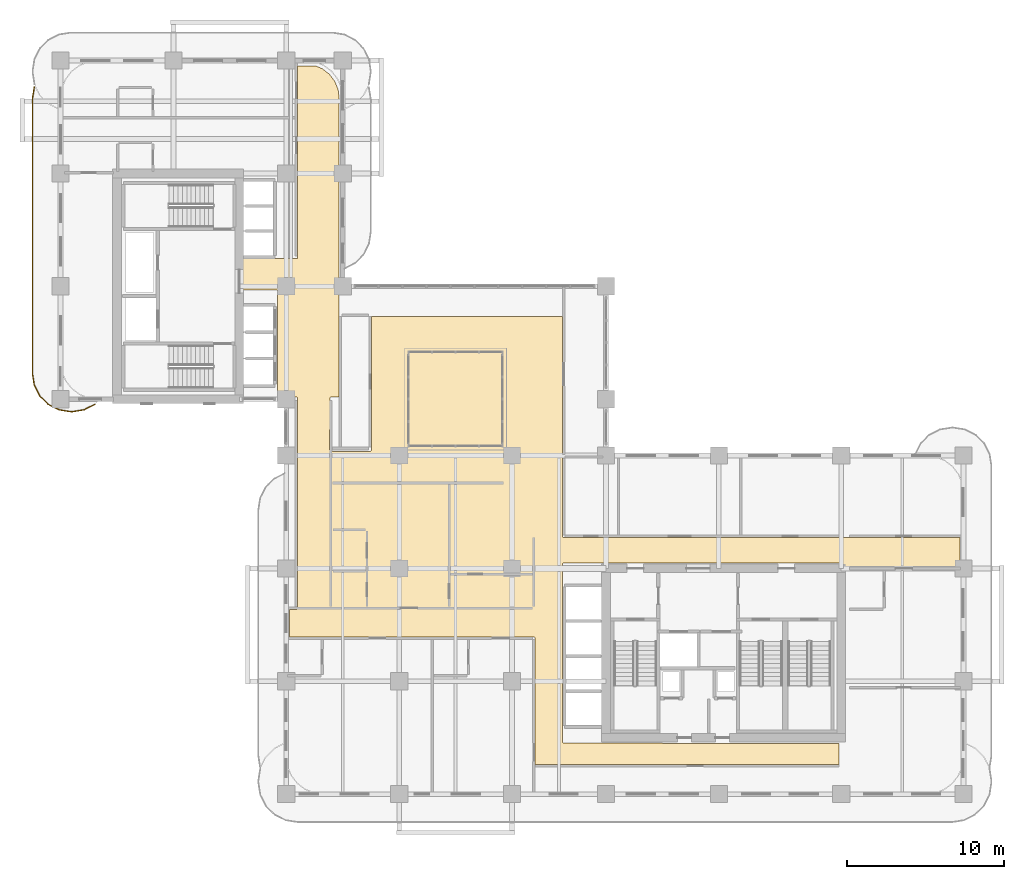
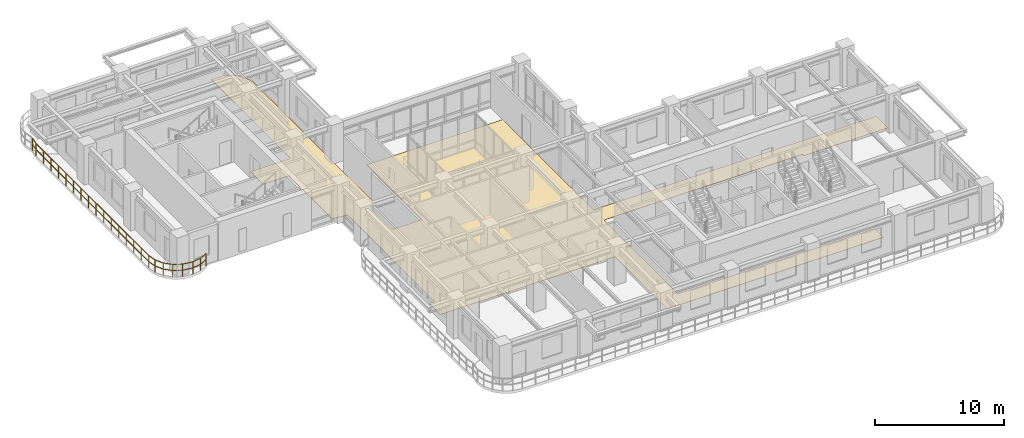
# One storey, part 21 of 22: 1 covering, 1 railing.
"""IFC4 building model written with IfcOpenShell, lengths in metres."""

from ifc_helpers import new_model, si_unit, derived_unit, direction, frame, origin, origin_2d, place, context, subcontext, project, spatial, polyline, rectangle, outline, extrude, material, layer, layer_set, type_object, element, save


model = new_model("IFC4")

# Units and contexts
model_context = context("Model", 3, precision=1e-05, world=origin(), true_north=direction((0.0, 1.0)))
body_context = subcontext(model_context, "Body", "Model", "MODEL_VIEW")
ifc_project = project(units=[si_unit("LENGTHUNIT", "METRE"), si_unit("AREAUNIT", "SQUARE_METRE"), si_unit("VOLUMEUNIT", "CUBIC_METRE"), si_unit("PLANEANGLEUNIT", "RADIAN"), si_unit("MASSUNIT", "GRAM", prefix="KILO"), si_unit("THERMODYNAMICTEMPERATUREUNIT", "KELVIN"), si_unit("POWERUNIT", "WATT"), derived_unit("THERMALTRANSMITTANCEUNIT", [(si_unit("POWERUNIT", "WATT"), 1), (si_unit("AREAUNIT", "SQUARE_METRE"), -1), (si_unit("THERMODYNAMICTEMPERATUREUNIT", "KELVIN"), -1)])], contexts=[model_context])

# Site, building, storey
site_placement = place(None, origin())
site = spatial("IfcSite", under=ifc_project, at=site_placement, CompositionType="ELEMENT")
building_placement = place(site_placement, origin())
building = spatial("IfcBuilding", under=site, at=building_placement, Name="Zahravan Archway Hotel and Residences", CompositionType="ELEMENT")
storey_placement = place(building_placement, frame((0.0, 0.0, 87.89990234375)))
storey = spatial("IfcBuildingStorey", under=building, at=storey_placement, Name="L21", CompositionType="ELEMENT", Elevation=87.89990234375)

# Covering
ifc_material_1 = material(Name="Engineered Walnut Parquet Flooring")
ifc_layer = layer(ifc_material_1, 0.02197265625, Name="Engineered Walnut Parquet Flooring")
ifc_layer_set = layer_set([ifc_layer], Name="Engineered Walnut Parquet Flooring")
covering_type = type_object("IfcCoveringType", Name="COV-FLR-TIMB", PredefinedType="FLOORING", material=ifc_layer_set)
covering_placement = place(storey_placement, origin())
element("IfcCovering", 1, at=covering_placement, inside=storey, type_object=covering_type, Name="L21 Circulation Floor Finish", PredefinedType="FLOORING", context=body_context, shape_type="SweptSolid", body=[
    extrude(outline(polyline([(32.021484375, 3.309326171875), (32.04345703125, 3.268310546875), (32.08447265625, 3.24658203125), (49.669921875, 3.2451171875), (49.669921875, 1.8798828125), (30.280029296875, 1.8798828125), (30.280029296875, 9.949951171875), (30.2666015625, 9.994384765625), (30.230712890625, 10.02392578125), (14.6201171875, 10.030029296875), (14.6201171875, 11.7900390625), (15.050048828125, 11.7900390625), (15.094482421875, 11.803466796875), (15.123779296875, 11.83935546875), (15.1298828125, 25.25), (15.116455078125, 25.29443359375), (15.08056640625, 25.323974609375), (14.5771484375, 25.330078125), (14.53955078125, 25.3701171875), (14.503662109375, 25.39404296875), (14.4638671875, 25.410400390625), (14.421630859375, 25.4189453125), (13.830078125, 25.419921875), (13.830078125, 32.10009765625), (13.81640625, 32.144287109375), (13.780517578125, 32.173828125), (11.530029296875, 32.179931640625), (11.530029296875, 34.169921875), (15.050048828125, 34.169921875), (15.094482421875, 34.18359375), (15.123779296875, 34.219482421875), (15.1298828125, 46.469970703125), (16.24560546875, 46.469970703125), (16.689208984375, 46.286376953125), (17.14013671875, 45.940185546875), (17.486328125, 45.489013671875), (17.703857421875, 44.9638671875), (17.77001953125, 44.46142578125), (17.77001953125, 25.330078125), (17.25, 25.330078125), (17.20556640625, 25.31640625), (17.176025390625, 25.280517578125), (17.169921875, 21.949951171875), (17.18359375, 21.905517578125), (17.219482421875, 21.876220703125), (19.75, 21.8701171875), (19.79443359375, 21.883544921875), (19.823974609375, 21.91943359375), (19.830078125, 30.469970703125), (32.02001953125, 30.469970703125), (32.02001953125, 16.449951171875), (32.033447265625, 16.405517578125), (32.0693359375, 16.376220703125), (57.3798828125, 16.3701171875), (57.3798828125, 14.530029296875), (49.830078125, 14.530029296875), (49.830078125, 14.675048828125), (49.81640625, 14.719482421875), (49.780517578125, 14.748779296875), (32.10009765625, 14.7548828125), (32.0556640625, 14.741455078125), (32.026123046875, 14.70556640625), (32.02001953125, 3.324951171875), (32.021484375, 3.309326171875)])), origin(), (0.0, 0.0, 1.0), 0.022216796875),
])

# Railing
ifc_material_2 = material(Name="Bronze & Laminated Glass Balustrade", Category="glass")
railing_type = type_object("IfcRailingType", Name="RL-BAL-1200", PredefinedType="BALUSTRADE", material=ifc_material_2)
railing_placement = place(storey_placement, frame((2.190185546875, 24.867919921875, 0.0)))
element("IfcRailing", 2, at=railing_placement, inside=storey, type_object=railing_type, Name="L21 Balustrade RL-SLB-BAL-L21-WB-1", PredefinedType="BALUSTRADE", context=body_context, shape_type="SweptSolid", body=[
    extrude(rectangle(XDim=0.048095703125, YDim=0.048095703125, at=origin_2d()), frame((0.0, 0.0, 1.17578125), z_axis=(-0.891090529897, -0.453825591531, 0.0), x_axis=(0.453825591531, -0.891090529897, 0.0)), (0.0, 0.0, 1.0), 0.7666015625),
    extrude(rectangle(XDim=0.048095703125, YDim=0.048095703125, at=origin_2d()), frame((0.0, 0.0, 0.60009765625), z_axis=(-0.891090529897, -0.453825591531, 0.0), x_axis=(0.453825591531, -0.891090529897, 0.0)), (0.0, 0.0, 1.0), 0.7666015625),
    extrude(rectangle(XDim=0.048095703125, YDim=0.048095703125, at=origin_2d()), frame((-0.68310546875, -0.347900390625, 1.17578125), z_axis=(-0.987646484274, -0.156698507018, 0.0), x_axis=(0.156698507018, -0.987646484274, 0.0)), (0.0, 0.0, 1.0), 0.7666015625),
    extrude(rectangle(XDim=0.048095703125, YDim=0.048095703125, at=origin_2d()), frame((-0.68310546875, -0.347900390625, 0.60009765625), z_axis=(-0.987646484274, -0.156698507018, 0.0), x_axis=(0.156698507018, -0.987646484274, 0.0)), (0.0, 0.0, 1.0), 0.7666015625),
    extrude(rectangle(XDim=0.048095703125, YDim=0.048095703125, at=origin_2d()), frame((-1.440185546875, -0.468017578125, 1.17578125), z_axis=(-1.0, 0.0, 0.0), x_axis=(0.0, -1.0, 0.0)), (0.0, 0.0, 1.0), 0.10009765625),
    extrude(rectangle(XDim=0.048095703125, YDim=0.048095703125, at=origin_2d()), frame((-1.440185546875, -0.468017578125, 0.60009765625), z_axis=(-1.0, 0.0, 0.0), x_axis=(0.0, -1.0, 0.0)), (0.0, 0.0, 1.0), 0.10009765625),
    extrude(rectangle(XDim=0.048095703125, YDim=0.048095703125, at=origin_2d()), frame((-1.540283203125, -0.468017578125, 1.17578125), z_axis=(-0.987646484274, 0.156698507018, 0.0), x_axis=(-0.156698507018, -0.987646484274, 0.0)), (0.0, 0.0, 1.0), 0.7666015625),
    extrude(rectangle(XDim=0.048095703125, YDim=0.048095703125, at=origin_2d()), frame((-1.540283203125, -0.468017578125, 0.60009765625), z_axis=(-0.987646484274, 0.156698507018, 0.0), x_axis=(-0.156698507018, -0.987646484274, 0.0)), (0.0, 0.0, 1.0), 0.7666015625),
    extrude(rectangle(XDim=0.048095703125, YDim=0.048095703125, at=origin_2d()), frame((-2.29736328125, -0.347900390625, 1.17578125), z_axis=(-0.891024909783, 0.453954414172, 0.0), x_axis=(-0.453954414172, -0.891024909783, 0.0)), (0.0, 0.0, 1.0), 0.766357421875),
    extrude(rectangle(XDim=0.048095703125, YDim=0.048095703125, at=origin_2d()), frame((-2.29736328125, -0.347900390625, 0.60009765625), z_axis=(-0.891024909783, 0.453954414172, 0.0), x_axis=(-0.453954414172, -0.891024909783, 0.0)), (0.0, 0.0, 1.0), 0.766357421875),
    extrude(rectangle(XDim=0.048095703125, YDim=0.048095703125, at=origin_2d()), frame((-2.980224609375, 0.0, 1.17578125), z_axis=(-0.707106781187, 0.707106781187, 0.0), x_axis=(-0.707106781187, -0.707106781187, 0.0)), (0.0, 0.0, 1.0), 0.7666015625),
    extrude(rectangle(XDim=0.048095703125, YDim=0.048095703125, at=origin_2d()), frame((-2.980224609375, 0.0, 0.60009765625), z_axis=(-0.707106781187, 0.707106781187, 0.0), x_axis=(-0.707106781187, -0.707106781187, 0.0)), (0.0, 0.0, 1.0), 0.7666015625),
    extrude(rectangle(XDim=0.048095703125, YDim=0.048095703125, at=origin_2d()), frame((-3.522216796875, 0.5419921875, 1.17578125), z_axis=(-0.454078418624, 0.890961721815, 0.0), x_axis=(-0.890961721815, -0.454078418624, 0.0)), (0.0, 0.0, 1.0), 0.7666015625),
    extrude(rectangle(XDim=0.048095703125, YDim=0.048095703125, at=origin_2d()), frame((-3.522216796875, 0.5419921875, 0.60009765625), z_axis=(-0.454078418624, 0.890961721815, 0.0), x_axis=(-0.890961721815, -0.454078418624, 0.0)), (0.0, 0.0, 1.0), 0.7666015625),
    extrude(rectangle(XDim=0.048095703125, YDim=0.048095703125, at=origin_2d()), frame((-3.870361328125, 1.22509765625, 1.17578125), z_axis=(-0.156387811283, 0.987695728695, 0.0), x_axis=(-0.987695728695, -0.156387811283, 0.0)), (0.0, 0.0, 1.0), 0.7666015625),
    extrude(rectangle(XDim=0.048095703125, YDim=0.048095703125, at=origin_2d()), frame((-3.870361328125, 1.22509765625, 0.60009765625), z_axis=(-0.156387811283, 0.987695728695, 0.0), x_axis=(-0.987695728695, -0.156387811283, 0.0)), (0.0, 0.0, 1.0), 0.7666015625),
    extrude(rectangle(XDim=0.048095703125, YDim=0.048095703125, at=origin_2d()), frame((-3.990234375, 1.982177734375, 1.17578125), z_axis=(0.0, 1.0, 0.0), x_axis=(-1.0, 0.0, 0.0)), (0.0, 0.0, 1.0), 17.5),
    extrude(rectangle(XDim=0.048095703125, YDim=0.048095703125, at=origin_2d()), frame((-3.990234375, 1.982177734375, 0.60009765625), z_axis=(0.0, 1.0, 0.0), x_axis=(-1.0, 0.0, 0.0)), (0.0, 0.0, 1.0), 17.5),
    extrude(rectangle(XDim=0.048095703125, YDim=0.048095703125, at=origin_2d()), frame((-3.990234375, 19.482177734375, 1.17578125), z_axis=(0.156387811283, 0.987695728695, 0.0), x_axis=(-0.987695728695, 0.156387811283, 0.0)), (0.0, 0.0, 1.0), 0.7666015625),
    extrude(rectangle(XDim=0.048095703125, YDim=0.048095703125, at=origin_2d()), frame((-3.990234375, 19.482177734375, 0.60009765625), z_axis=(0.156387811283, 0.987695728695, 0.0), x_axis=(-0.987695728695, 0.156387811283, 0.0)), (0.0, 0.0, 1.0), 0.7666015625),
    extrude(rectangle(XDim=0.0419921875, YDim=0.0419921875, at=origin_2d()), origin(), (0.0, 0.0, 1.0), 1.15185546875),
    extrude(rectangle(XDim=0.0419921875, YDim=0.0419921875, at=origin_2d()), frame((-0.68310546875, -0.347900390625, 0.0)), (0.0, 0.0, 1.0), 1.15185546875),
    extrude(rectangle(XDim=0.0419921875, YDim=0.0419921875, at=origin_2d()), frame((-1.440185546875, -0.468017578125, 0.0)), (0.0, 0.0, 1.0), 1.15185546875),
    extrude(rectangle(XDim=0.0419921875, YDim=0.0419921875, at=origin_2d()), frame((-2.29736328125, -0.347900390625, 0.0)), (0.0, 0.0, 1.0), 1.15185546875),
    extrude(rectangle(XDim=0.0419921875, YDim=0.0419921875, at=origin_2d()), frame((-2.980224609375, 0.0, 0.0)), (0.0, 0.0, 1.0), 1.15185546875),
    extrude(rectangle(XDim=0.0419921875, YDim=0.0419921875, at=origin_2d()), frame((-3.522216796875, 0.5419921875, 0.0)), (0.0, 0.0, 1.0), 1.15185546875),
    extrude(rectangle(XDim=0.0419921875, YDim=0.0419921875, at=origin_2d()), frame((-3.870361328125, 1.22509765625, 0.0)), (0.0, 0.0, 1.0), 1.15185546875),
    extrude(rectangle(XDim=0.0419921875, YDim=0.0419921875, at=origin_2d()), frame((-3.990234375, 1.982177734375, 0.0)), (0.0, 0.0, 1.0), 1.15185546875),
    extrude(rectangle(XDim=0.0419921875, YDim=0.0419921875, at=origin_2d()), frame((-3.990234375, 3.14892578125, 0.0)), (0.0, 0.0, 1.0), 1.15185546875),
    extrude(rectangle(XDim=0.0419921875, YDim=0.0419921875, at=origin_2d()), frame((-3.990234375, 4.3154296875, 0.0)), (0.0, 0.0, 1.0), 1.15185546875),
    extrude(rectangle(XDim=0.0419921875, YDim=0.0419921875, at=origin_2d()), frame((-3.990234375, 5.482177734375, 0.0)), (0.0, 0.0, 1.0), 1.15185546875),
    extrude(rectangle(XDim=0.0419921875, YDim=0.0419921875, at=origin_2d()), frame((-3.990234375, 6.64892578125, 0.0)), (0.0, 0.0, 1.0), 1.15185546875),
    extrude(rectangle(XDim=0.0419921875, YDim=0.0419921875, at=origin_2d()), frame((-3.990234375, 7.8154296875, 0.0)), (0.0, 0.0, 1.0), 1.15185546875),
    extrude(rectangle(XDim=0.0419921875, YDim=0.0419921875, at=origin_2d()), frame((-3.990234375, 8.982177734375, 0.0)), (0.0, 0.0, 1.0), 1.15185546875),
    extrude(rectangle(XDim=0.0419921875, YDim=0.0419921875, at=origin_2d()), frame((-3.990234375, 10.14892578125, 0.0)), (0.0, 0.0, 1.0), 1.15185546875),
    extrude(rectangle(XDim=0.0419921875, YDim=0.0419921875, at=origin_2d()), frame((-3.990234375, 11.3154296875, 0.0)), (0.0, 0.0, 1.0), 1.15185546875),
    extrude(rectangle(XDim=0.0419921875, YDim=0.0419921875, at=origin_2d()), frame((-3.990234375, 12.482177734375, 0.0)), (0.0, 0.0, 1.0), 1.15185546875),
    extrude(rectangle(XDim=0.0419921875, YDim=0.0419921875, at=origin_2d()), frame((-3.990234375, 13.64892578125, 0.0)), (0.0, 0.0, 1.0), 1.15185546875),
    extrude(rectangle(XDim=0.0419921875, YDim=0.0419921875, at=origin_2d()), frame((-3.990234375, 14.8154296875, 0.0)), (0.0, 0.0, 1.0), 1.15185546875),
    extrude(rectangle(XDim=0.0419921875, YDim=0.0419921875, at=origin_2d()), frame((-3.990234375, 15.982177734375, 0.0)), (0.0, 0.0, 1.0), 1.15185546875),
    extrude(rectangle(XDim=0.0419921875, YDim=0.0419921875, at=origin_2d()), frame((-3.990234375, 17.14892578125, 0.0)), (0.0, 0.0, 1.0), 1.15185546875),
    extrude(rectangle(XDim=0.0419921875, YDim=0.0419921875, at=origin_2d()), frame((-3.990234375, 18.3154296875, 0.0)), (0.0, 0.0, 1.0), 1.15185546875),
    extrude(rectangle(XDim=0.0419921875, YDim=0.0419921875, at=origin_2d()), frame((-3.990234375, 19.482177734375, 0.0)), (0.0, 0.0, 1.0), 1.15185546875),
    extrude(rectangle(XDim=0.0419921875, YDim=0.0419921875, at=origin_2d()), frame((-3.870361328125, 20.2392578125, 0.0)), (0.0, 0.0, 1.0), 1.15185546875),
])

save(model, "model.ifc")
